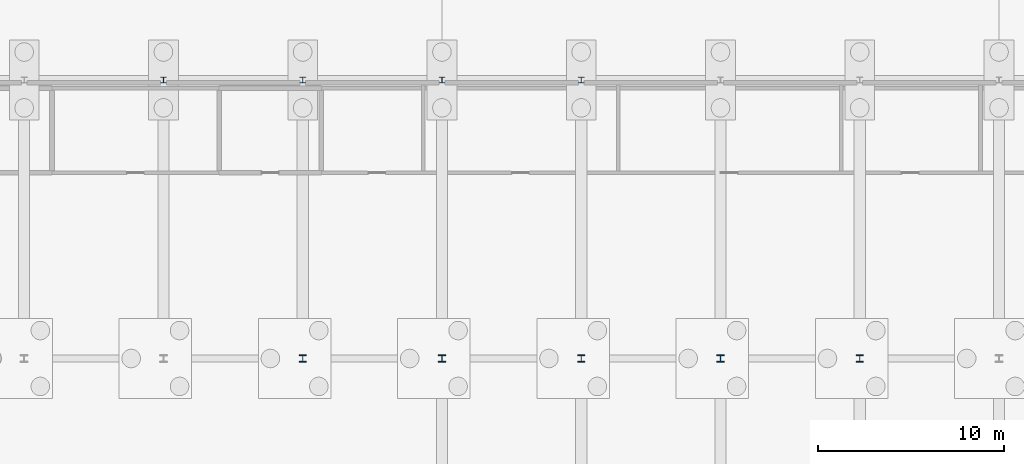
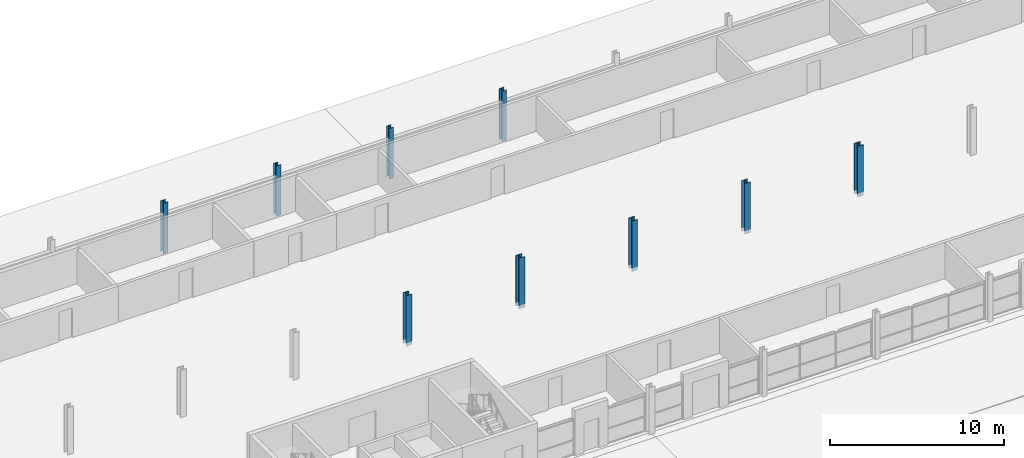
# One storey, part 39 of 130: 9 columns.
"""IFC4 building model written with IfcOpenShell, lengths in metres."""

from ifc_helpers import new_model, si_unit, direction, frame, origin, origin_2d, place, context, subcontext, project, spatial, i_section, extrude, material, material_profile, profile_set, type_object, element, save


model = new_model("IFC4")

# Units and contexts
model_context = context("Model", 3, precision=1e-05, world=origin(), true_north=direction((0.0, 1.0)))
body_context = subcontext(model_context, "Body", "Model", "MODEL_VIEW")
ifc_project = project(units=[si_unit("LENGTHUNIT", "METRE"), si_unit("AREAUNIT", "SQUARE_METRE"), si_unit("VOLUMEUNIT", "CUBIC_METRE"), si_unit("PLANEANGLEUNIT", "RADIAN"), si_unit("MASSUNIT", "GRAM", prefix="KILO")], contexts=[model_context])

# Site, building, storey
site_placement = place(None, origin())
site = spatial("IfcSite", under=ifc_project, at=site_placement, CompositionType="ELEMENT")
building_placement = place(site_placement, origin())
building = spatial("IfcBuilding", under=site, at=building_placement, Name="Parallax Yard Mobility Hub", CompositionType="ELEMENT")
storey_placement = place(building_placement, origin())
storey = spatial("IfcBuildingStorey", under=building, at=storey_placement, Name="L00", CompositionType="ELEMENT", Elevation=0.0)

# Columns
ifc_material = material(Name="Steel ASTM A992", Category="steel")
ifc_material_profile_1 = material_profile(ifc_material, i_section(OverallWidth=0.306884765625, OverallDepth=0.318115234375, WebThickness=0.01318359375, FlangeThickness=0.0205078125, FilletRadius=0.01513671875, at=origin_2d()), Name="W310x129")
ifc_profile_set_1 = profile_set([ifc_material_profile_1], Name="Steel ASTM A992")
column_type_1 = type_object("IfcColumnType", Name="W310x129 column", PredefinedType="COLUMN", material=ifc_profile_set_1)
for number, where, z_axis, x_axis, name in (
    (1, (75.0, 142.5, -0.25), (0.0, 0.0, 1.0), (1.0, 0.0, 0.0), "Column C3 level L00 at V/11 of ramped parking decks"),
    (2, (82.5, 142.5, -0.25), (0.0, 0.0, 1.0), (1.0, 0.0, 0.0), "Column C3 level L00 at V/12 of ramped parking decks"),
    (3, (90.0, 142.5, -0.25), (0.0, 0.0, 1.0), (1.0, 0.0, 0.0), "Column C3 level L00 at V/13 of ramped parking decks"),
    (4, (97.5, 142.5, -0.25), (0.0, 0.0, 1.0), (1.0, 0.0, 0.0), "Column C3 level L00 at V/14 of ramped parking decks"),
):
    element("IfcColumn", number, at=place(storey_placement, frame(where, z_axis=z_axis, x_axis=x_axis)), inside=storey, type_object=column_type_1, Name=name, PredefinedType="COLUMN", context=body_context, shape_type="SweptSolid", body=[
        extrude(i_section(OverallWidth=0.306884765625, OverallDepth=0.318115234375, WebThickness=0.01318359375, FlangeThickness=0.0205078125, FilletRadius=0.01513671875, at=origin_2d()), origin(), (0.0, 0.0, 1.0), 3.550048828125),
    ])
ifc_material_profile_2 = material_profile(ifc_material, i_section(OverallWidth=0.39599609375, OverallDepth=0.381103515625, WebThickness=0.018798828125, FlangeThickness=0.0302734375, FilletRadius=0.015380859375, at=origin_2d()), Name="W360x237")
ifc_profile_set_2 = profile_set([ifc_material_profile_2], Name="Steel ASTM A992")
column_type_2 = type_object("IfcColumnType", Name="W360x237 column", PredefinedType="COLUMN", material=ifc_profile_set_2)
for number, where, z_axis, x_axis, name in (
    (5, (82.5, 127.5, -0.25), (0.0, 0.0, 1.0), (1.0, 0.0, 0.0), "Column C10 level L00 at T/12 of ramped parking decks"),
    (6, (90.0, 127.5, -0.25), (0.0, 0.0, 1.0), (1.0, 0.0, 0.0), "Column C10 level L00 at T/13 of ramped parking decks"),
    (7, (97.5, 127.5, -0.25), (0.0, 0.0, 1.0), (1.0, 0.0, 0.0), "Column C10 level L00 at T/14 of ramped parking decks"),
    (8, (105.0, 127.5, -0.25), (0.0, 0.0, 1.0), (1.0, 0.0, 0.0), "Column C10 level L00 at T/15 of ramped parking decks"),
    (9, (112.5, 127.5, -0.25), (0.0, 0.0, 1.0), (1.0, 0.0, 0.0), "Column C10 level L00 at T/16 of ramped parking decks"),
):
    element("IfcColumn", number, at=place(storey_placement, frame(where, z_axis=z_axis, x_axis=x_axis)), inside=storey, type_object=column_type_2, Name=name, PredefinedType="COLUMN", context=body_context, shape_type="SweptSolid", body=[
        extrude(i_section(OverallWidth=0.39599609375, OverallDepth=0.381103515625, WebThickness=0.018798828125, FlangeThickness=0.0302734375, FilletRadius=0.015380859375, at=origin_2d()), origin(), (0.0, 0.0, 1.0), 3.550048828125),
    ])

save(model, "model.ifc")
